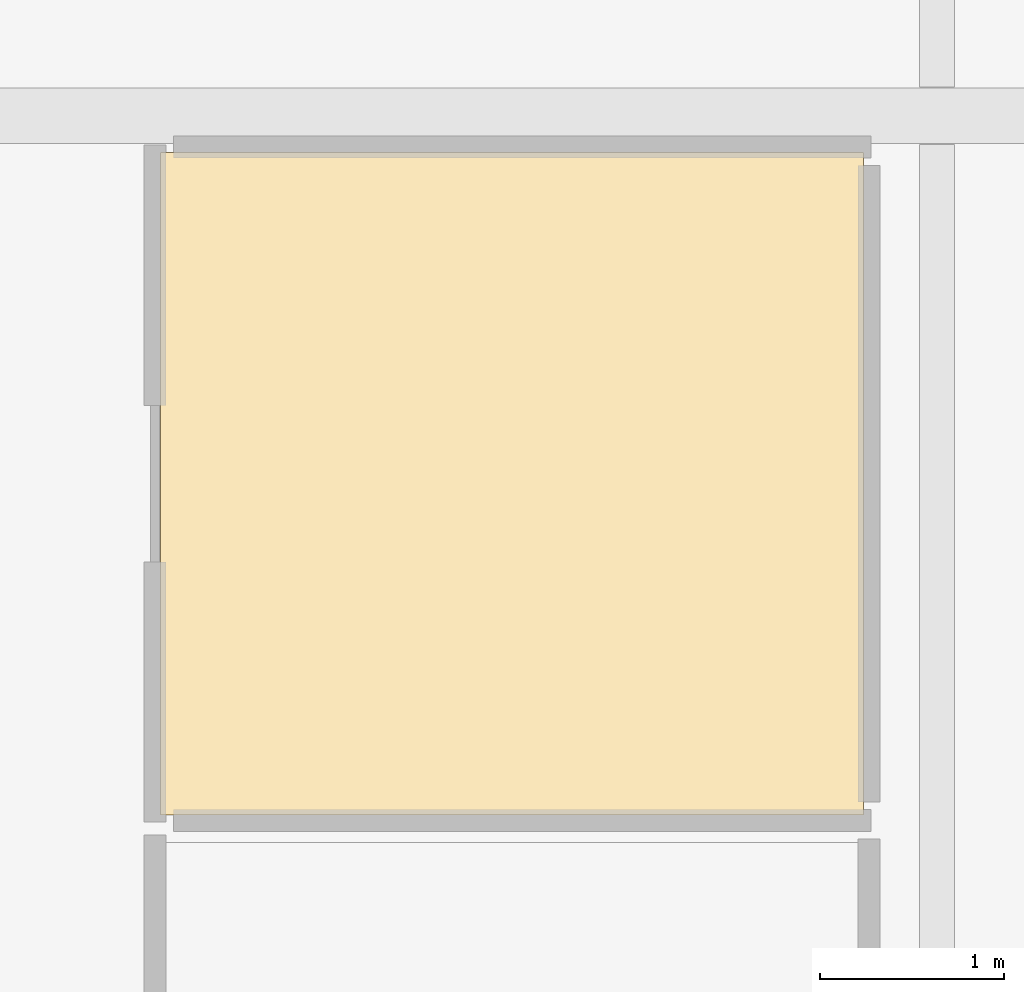
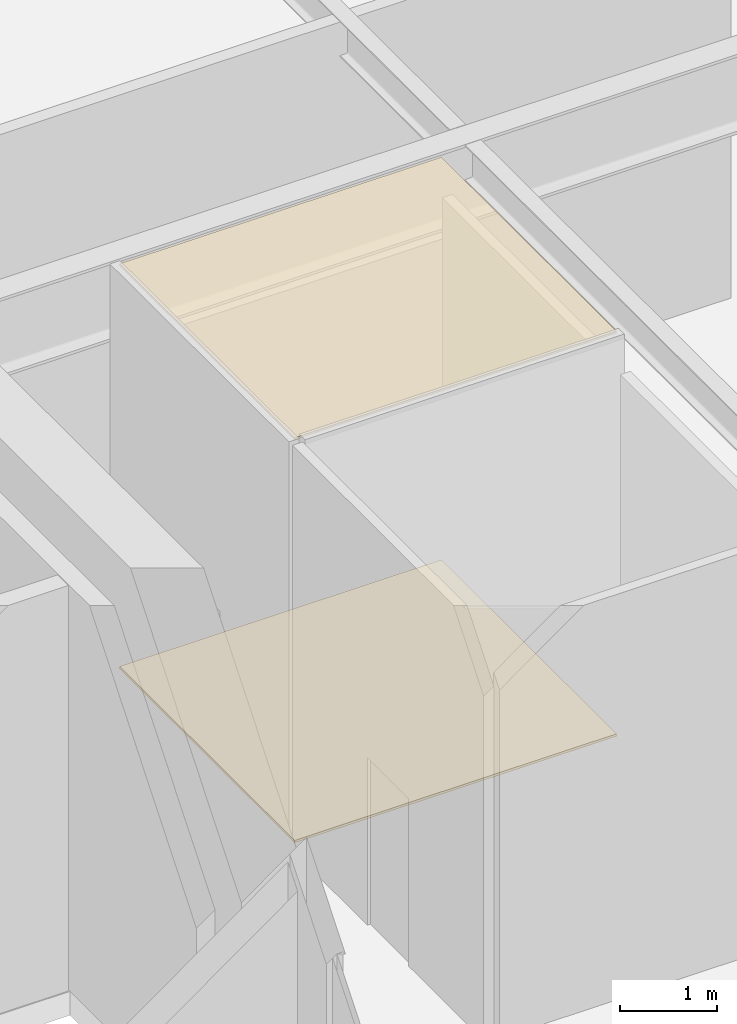
# One storey, part 24 of 24: 2 coverings.
"""IFC4 building model written with IfcOpenShell, lengths in metres."""

import ifcopenshell
import ifcopenshell.guid

model = None  # the IFC model being written
_history = None  # IfcOwnerHistory: only IFC2X3 demands one
_inside = {}  # id of a spatial element -> (the spatial element, [elements in it])
_under = {}  # id of a project, library or spatial element -> (it, [spatial elements below it])
_declared = {}  # id of a project -> (the project, [libraries it declares])
_typed = {}  # id of a type object -> (the type object, [elements of that type])
_made_of = {}  # id of a material, layer set ... -> (it, [elements and type objects made of it])


def new_model(schema):
    """Start an empty IFC model of exactly this schema.

    Asked for "IFC4X3", IfcOpenShell would pick the latest addendum, in which some entities
    have other attributes; the version numbers below select the first issue.
    IFC2X3 requires an IfcOwnerHistory on every rooted entity: one is made here for all.
    """
    global model, _history
    if schema == "IFC4X3":
        model = ifcopenshell.file(schema_version=(4, 3, 0, 0))
    else:
        model = ifcopenshell.file(schema=schema)
    _inside.clear()
    _under.clear()
    _declared.clear()
    _typed.clear()
    _made_of.clear()
    _history = None
    if model.schema == "IFC2X3":
        org = make("IfcOrganization", Name="unknown")
        user = make(
            "IfcPersonAndOrganization",
            ThePerson=make("IfcPerson", FamilyName="unknown"),
            TheOrganization=org,
        )
        app = make(
            "IfcApplication",
            ApplicationDeveloper=org,
            Version="unknown",
            ApplicationFullName="unknown",
            ApplicationIdentifier="unknown",
        )
        _history = make(
            "IfcOwnerHistory",
            OwningUser=user,
            OwningApplication=app,
            ChangeAction="ADDED",
            CreationDate=0,
        )
    return model


def make(cls, **values):
    """One entity of the class cls with the attributes given. An attribute that is None is left unset."""
    return model.create_entity(
        cls, **{name: value for name, value in values.items() if value is not None}
    )


def rooted(cls, **values):
    """An entity with a GlobalId (a new one), such as an element, a storey or a relation."""
    return make(cls, GlobalId=ifcopenshell.guid.new(), OwnerHistory=_history, **values)


def si_unit(unit_type, name, prefix=None):
    """IfcSIUnit, for example si_unit("LENGTHUNIT", "METRE", prefix="MILLI")."""
    return make("IfcSIUnit", UnitType=unit_type, Prefix=prefix, Name=name)


def assignment(units):
    """IfcUnitAssignment: the units of a project."""
    return None if units is None else make("IfcUnitAssignment", Units=units)


def point(xyz):
    """IfcCartesianPoint."""
    return None if xyz is None else make("IfcCartesianPoint", Coordinates=xyz)


def direction(xyz):
    """IfcDirection."""
    return None if xyz is None else make("IfcDirection", DirectionRatios=xyz)


def frame(location, z_axis=None, x_axis=None):
    """IfcAxis2Placement3D, a coordinate frame: its origin and axes. An axis left out is left unset."""
    return make(
        "IfcAxis2Placement3D",
        Location=point(location),
        Axis=direction(z_axis),
        RefDirection=direction(x_axis),
    )


def origin():
    """The frame at (0, 0, 0) with its axes left unset."""
    return frame((0.0, 0.0, 0.0))


def place(relative_to, where):
    """IfcLocalPlacement: puts the frame where relative to a parent placement (None: the world)."""
    return make(
        "IfcLocalPlacement", PlacementRelTo=relative_to, RelativePlacement=where
    )


def context(
    kind, dimensions, precision=None, world=None, true_north=None, identifier=None
):
    """IfcGeometricRepresentationContext, for example the 3D "Model" context."""
    return make(
        "IfcGeometricRepresentationContext",
        ContextIdentifier=identifier,
        ContextType=kind,
        CoordinateSpaceDimension=dimensions,
        Precision=precision,
        WorldCoordinateSystem=world,
        TrueNorth=true_north,
    )


def subcontext(parent, identifier, kind, view, scale=None):
    """IfcGeometricRepresentationSubContext, for example "Body" below "Model"."""
    return make(
        "IfcGeometricRepresentationSubContext",
        ContextIdentifier=identifier,
        ContextType=kind,
        ParentContext=parent,
        TargetScale=scale,
        TargetView=view,
    )


def project(units=None, contexts=None):
    """IfcProject with its units and contexts."""
    return rooted(
        "IfcProject",
        Name="project",
        RepresentationContexts=contexts,
        UnitsInContext=assignment(units),
    )


def spatial(cls, under=None, at=None, **own):
    """A site, building, storey or space (cls), placed at a placement, below another one or the project."""
    s = rooted(cls, ObjectPlacement=at, **own)
    if under is not None:
        _under.setdefault(under.id(), (under, []))[1].append(s)
    return s


def polyline(points):
    """IfcPolyline through the points."""
    return make("IfcPolyline", Points=[point(p) for p in points])


def outline(outer, holes=None, kind="AREA"):
    """IfcArbitraryClosedProfileDef: a profile drawn as a closed curve; with holes, ...WithVoids."""
    if holes is None:
        return make("IfcArbitraryClosedProfileDef", ProfileType=kind, OuterCurve=outer)
    return make(
        "IfcArbitraryProfileDefWithVoids",
        ProfileType=kind,
        OuterCurve=outer,
        InnerCurves=holes,
    )


def extrude(swept, where, along, depth):
    """IfcExtrudedAreaSolid: the profile swept, set in the frame where, extruded along a direction by depth."""
    return make(
        "IfcExtrudedAreaSolid",
        SweptArea=swept,
        Position=where,
        ExtrudedDirection=direction(along),
        Depth=depth,
    )


def shape(context_of_items, identifier, shape_type, items):
    """IfcShapeRepresentation: the items that make up one representation, for example the "Body"."""
    return make(
        "IfcShapeRepresentation",
        ContextOfItems=context_of_items,
        RepresentationIdentifier=identifier,
        RepresentationType=shape_type,
        Items=items,
    )


def material(Name=None, Category=None):
    """IfcMaterial."""
    return make("IfcMaterial", Name=Name, Category=Category)


def layer(
    of_material, thickness, ventilated=None, Name=None, Category=None, Priority=None
):
    """IfcMaterialLayer: one layer of a wall or slab, of a material (None: an air gap)."""
    return make(
        "IfcMaterialLayer",
        Material=of_material,
        LayerThickness=thickness,
        IsVentilated=ventilated,
        Name=Name,
        Category=Category,
        Priority=Priority,
    )


def layer_set(layers, Name=None):
    """IfcMaterialLayerSet."""
    return make("IfcMaterialLayerSet", MaterialLayers=layers, LayerSetName=Name)


def made_of(thing, what):
    """Note that an element or type object is made of a material, layer set ...; save() writes the relation."""
    if what is not None:
        _made_of.setdefault(what.id(), (what, []))[1].append(thing)
    return thing


def type_object(cls, material=None, **own):
    """A type object (cls), such as IfcWallType, which elements share."""
    return made_of(rooted(cls, **own), material)


def element(
    cls,
    number,
    at=None,
    inside=None,
    cuts=None,
    type_object=None,
    material=None,
    context=None,
    identifier="Body",
    shape_type=None,
    held_by="IfcProductDefinitionShape",
    body=None,
    shapes=None,
    **own,
):
    """One element of the class cls, such as IfcWall. Its Tag is "e" and its number.

    at: its placement. inside: the storey or other place that contains it. cuts: it is an
    opening in that element (IfcRelVoidsElement). A single representation is given by context,
    identifier, shape_type and body (its items); several are given by shapes. held_by: the class
    of the entity that holds the representations. save() writes the other relations.
    """
    e = rooted(cls, Tag="e%d" % number, ObjectPlacement=at, **own)
    if body is not None:
        shapes = [shape(context, identifier, shape_type, body)]
    if shapes is not None:
        e.Representation = make(held_by, Representations=shapes)
    if inside is not None:
        _inside.setdefault(inside.id(), (inside, []))[1].append(e)
    if cuts is not None:
        rooted(
            "IfcRelVoidsElement", RelatingBuildingElement=cuts, RelatedOpeningElement=e
        )
    if type_object is not None:
        _typed.setdefault(type_object.id(), (type_object, []))[1].append(e)
    return made_of(e, material)


def aggregate(whole, parts):
    """IfcRelAggregates: a whole, such as a stair, and the parts it consists of."""
    return rooted("IfcRelAggregates", RelatingObject=whole, RelatedObjects=parts)


def save(model, path):
    """Write the relations noted so far, then the file.

    IfcRelAggregates (storeys below a building ...), IfcRelContainedInSpatialStructure (elements
    in a storey), IfcRelDefinesByType, IfcRelAssociatesMaterial and IfcRelDeclares: one each for
    every whole, place, type object, material and project.
    """
    for whole, parts in _under.values():
        aggregate(whole, parts)
    for where, things in _inside.values():
        rooted(
            "IfcRelContainedInSpatialStructure",
            RelatedElements=things,
            RelatingStructure=where,
        )
    for kind, things in _typed.values():
        rooted("IfcRelDefinesByType", RelatedObjects=things, RelatingType=kind)
    for what, things in _made_of.values():
        rooted("IfcRelAssociatesMaterial", RelatedObjects=things, RelatingMaterial=what)
    for by, libraries in _declared.values():
        rooted("IfcRelDeclares", RelatingContext=by, RelatedDefinitions=libraries)
    model.write(path)


model = new_model("IFC4")

# Units and contexts
model_context = context("Model", 3, precision=1e-05, world=origin(), true_north=direction((0.0, 1.0)))
body_context = subcontext(model_context, "Body", "Model", "MODEL_VIEW")
ifc_project = project(units=[si_unit("LENGTHUNIT", "METRE"), si_unit("AREAUNIT", "SQUARE_METRE"), si_unit("VOLUMEUNIT", "CUBIC_METRE"), si_unit("PLANEANGLEUNIT", "RADIAN"), si_unit("MASSUNIT", "GRAM", prefix="KILO")], contexts=[model_context])

# Site, building, storey
site_placement = place(None, origin())
site = spatial("IfcSite", under=ifc_project, at=site_placement, CompositionType="ELEMENT")
building_placement = place(site_placement, origin())
building = spatial("IfcBuilding", under=site, at=building_placement, Name="Nefas-Gora Pilgrimage Tower", CompositionType="ELEMENT")
storey_placement = place(building_placement, frame((0.0, 0.0, 16.800048828125)))
storey = spatial("IfcBuildingStorey", under=building, at=storey_placement, Name="L03", CompositionType="ELEMENT", Elevation=16.800048828125)

# Coverings
ifc_material_1 = material(Name="Perforated gypsum acoustic ceiling")
ifc_layer_1 = layer(ifc_material_1, 0.02490234375)
ifc_layer_set_1 = layer_set([ifc_layer_1], Name="Perforated gypsum acoustic ceiling")
covering_type_1 = type_object("IfcCoveringType", Name="COV-CEIL-ACOUST", PredefinedType="CEILING", material=ifc_layer_set_1)
covering_1_placement = place(storey_placement, frame((0.0, 0.0, 5.054931640625)))
element("IfcCovering", 1, at=covering_1_placement, inside=storey, type_object=covering_type_1, Name="L03 Acoustic Suspended Ceiling (L03 Podium Accessible WC)", PredefinedType="CEILING", context=body_context, shape_type="SweptSolid", body=[
    extrude(outline(polyline([(13.780029296875, 8.800048828125), (13.780029296875, 5.199951171875), (17.60009765625, 5.199951171875), (17.60009765625, 8.800048828125), (13.780029296875, 8.800048828125)])), origin(), (0.0, 0.0, 1.0), 0.02490234375),
])
ifc_material_2 = material(Name="Honed granite stone flooring", Category="masonry")
ifc_layer_2 = layer(ifc_material_2, 0.030029296875)
ifc_layer_set_2 = layer_set([ifc_layer_2], Name="Honed granite stone flooring")
covering_type_2 = type_object("IfcCoveringType", Name="COV-FLOR-GRAN", PredefinedType="FLOORING", material=ifc_layer_set_2)
covering_2_placement = place(storey_placement, origin())
element("IfcCovering", 2, at=covering_2_placement, inside=storey, type_object=covering_type_2, Name="L03 Honed Granite Flooring (L03 Podium Accessible WC)", PredefinedType="FLOORING", context=body_context, shape_type="SweptSolid", body=[
    extrude(outline(polyline([(13.780029296875, 8.800048828125), (13.780029296875, 5.199951171875), (17.60009765625, 5.199951171875), (17.60009765625, 8.800048828125), (13.780029296875, 8.800048828125)])), origin(), (0.0, 0.0, 1.0), 0.030029296875),
])

save(model, "model.ifc")
